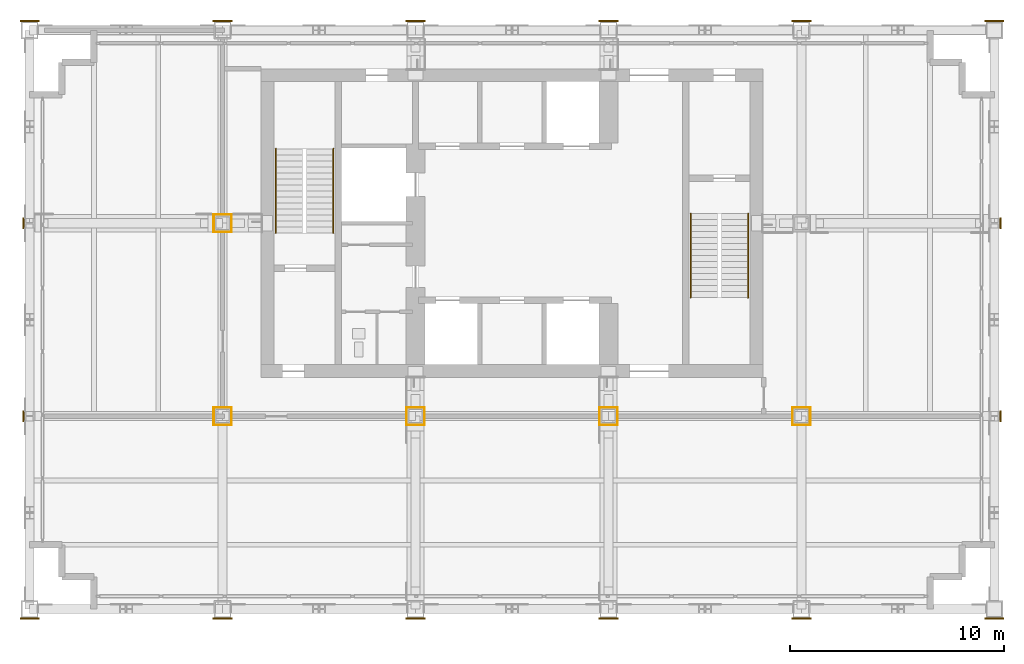
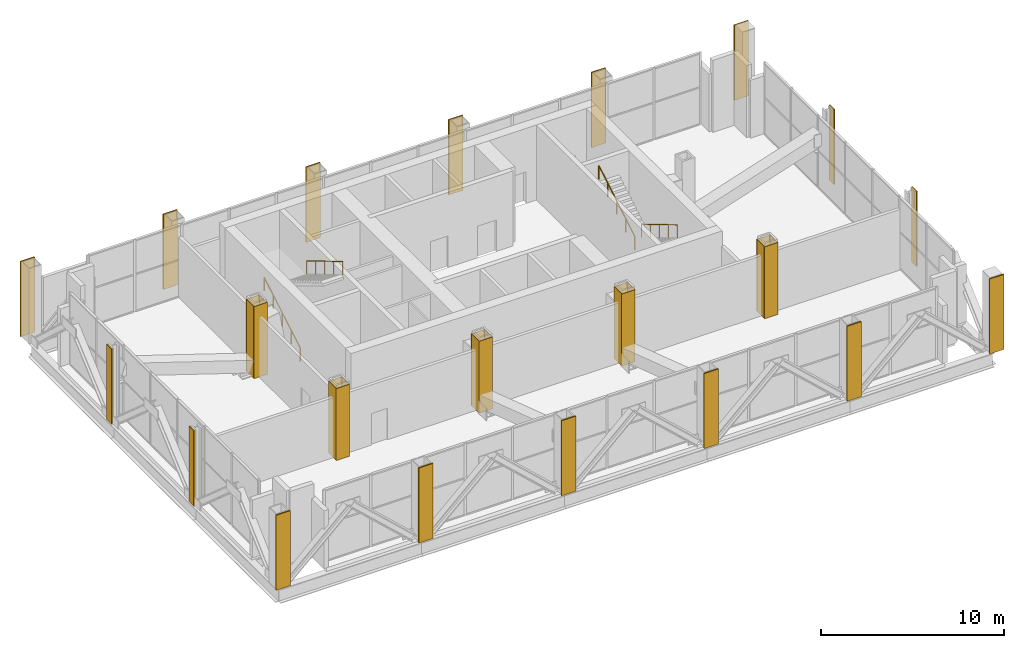
# One storey, part 12 of 13: 36 coverings, 4 railings.
"""IFC4 building model written with IfcOpenShell, lengths in metres."""

from ifc_helpers import new_model, si_unit, direction, frame, origin, origin_2d, place, context, subcontext, project, spatial, rectangle, circle, extrude, material, layer, layer_set, type_object, element, save


model = new_model("IFC4")

# Units and contexts
model_context = context("Model", 3, precision=1e-05, world=origin(), true_north=direction((0.0, 1.0)))
body_context = subcontext(model_context, "Body", "Model", "MODEL_VIEW")
ifc_project = project(units=[si_unit("LENGTHUNIT", "METRE"), si_unit("AREAUNIT", "SQUARE_METRE"), si_unit("VOLUMEUNIT", "CUBIC_METRE"), si_unit("PLANEANGLEUNIT", "RADIAN"), si_unit("MASSUNIT", "GRAM", prefix="KILO")], contexts=[model_context])

# Site, building, storey
site_placement = place(None, origin())
site = spatial("IfcSite", under=ifc_project, at=site_placement, CompositionType="ELEMENT")
building_placement = place(site_placement, origin())
building = spatial("IfcBuilding", under=site, at=building_placement, Name="Loomwork Tower", CompositionType="ELEMENT")
storey_placement = place(building_placement, frame((0.0, 0.0, 221.60009765625)))
storey = spatial("IfcBuildingStorey", under=building, at=storey_placement, Name="L61", CompositionType="ELEMENT", Elevation=221.60009765625)

# Coverings
ifc_material_1 = material(Name="Two-hour fire-rated gypsum board casing")
ifc_layer_1 = layer(ifc_material_1, 0.02490234375)
ifc_layer_set_1 = layer_set([ifc_layer_1], Name="Column fire casing 25")
covering_type_1 = type_object("IfcCoveringType", Name="Column fire casing 25", PredefinedType="CLADDING", material=ifc_layer_set_1)
for number, where, z_axis, x_axis, name in (
    (1, (9.0, 9.41259765625, 0.0), (0.0, 0.0, 1.0), (1.0, 0.0, 0.0), "Column casing 9 9 L61"),
    (2, (9.0, 8.58740234375, 0.0), (0.0, 0.0, 1.0), (1.0, 0.0, 0.0), "Column casing 9 9 L61"),
):
    element("IfcCovering", number, at=place(storey_placement, frame(where, z_axis=z_axis, x_axis=x_axis)), inside=storey, type_object=covering_type_1, Name=name, PredefinedType="CLADDING", context=body_context, shape_type="SweptSolid", body=[
        extrude(rectangle(XDim=0.85009765625, YDim=0.02490234375, at=origin_2d()), origin(), (0.0, 0.0, 1.0), 4.800048828125),
    ])
for number, where, z_axis, x_axis, name in (
    (3, (9.41259765625, 9.0, 0.0), (0.0, 0.0, 1.0), (1.0, 0.0, 0.0), "Column casing 9 9 L61"),
    (4, (8.58740234375, 9.0, 0.0), (0.0, 0.0, 1.0), (1.0, 0.0, 0.0), "Column casing 9 9 L61"),
):
    element("IfcCovering", number, at=place(storey_placement, frame(where, z_axis=z_axis, x_axis=x_axis)), inside=storey, type_object=covering_type_1, Name=name, PredefinedType="CLADDING", context=body_context, shape_type="SweptSolid", body=[
        extrude(rectangle(XDim=0.02490234375, YDim=0.800048828125, at=origin_2d()), origin(), (0.0, 0.0, 1.0), 4.800048828125),
    ])
for number, where, z_axis, x_axis, name in (
    (5, (9.0, 18.41259765625, 0.0), (0.0, 0.0, 1.0), (1.0, 0.0, 0.0), "Column casing 9 18 L61"),
    (6, (9.0, 17.58740234375, 0.0), (0.0, 0.0, 1.0), (1.0, 0.0, 0.0), "Column casing 9 18 L61"),
):
    element("IfcCovering", number, at=place(storey_placement, frame(where, z_axis=z_axis, x_axis=x_axis)), inside=storey, type_object=covering_type_1, Name=name, PredefinedType="CLADDING", context=body_context, shape_type="SweptSolid", body=[
        extrude(rectangle(XDim=0.85009765625, YDim=0.02490234375, at=origin_2d()), origin(), (0.0, 0.0, 1.0), 4.800048828125),
    ])
for number, where, z_axis, x_axis, name in (
    (7, (9.41259765625, 18.0, 0.0), (0.0, 0.0, 1.0), (1.0, 0.0, 0.0), "Column casing 9 18 L61"),
    (8, (8.58740234375, 18.0, 0.0), (0.0, 0.0, 1.0), (1.0, 0.0, 0.0), "Column casing 9 18 L61"),
):
    element("IfcCovering", number, at=place(storey_placement, frame(where, z_axis=z_axis, x_axis=x_axis)), inside=storey, type_object=covering_type_1, Name=name, PredefinedType="CLADDING", context=body_context, shape_type="SweptSolid", body=[
        extrude(rectangle(XDim=0.02490234375, YDim=0.800048828125, at=origin_2d()), origin(), (0.0, 0.0, 1.0), 4.800048828125),
    ])
for number, where, z_axis, x_axis, name in (
    (9, (18.0, 9.41259765625, 0.0), (0.0, 0.0, 1.0), (1.0, 0.0, 0.0), "Column casing 18 9 L61"),
    (10, (18.0, 8.58740234375, 0.0), (0.0, 0.0, 1.0), (1.0, 0.0, 0.0), "Column casing 18 9 L61"),
):
    element("IfcCovering", number, at=place(storey_placement, frame(where, z_axis=z_axis, x_axis=x_axis)), inside=storey, type_object=covering_type_1, Name=name, PredefinedType="CLADDING", context=body_context, shape_type="SweptSolid", body=[
        extrude(rectangle(XDim=0.85009765625, YDim=0.02490234375, at=origin_2d()), origin(), (0.0, 0.0, 1.0), 4.800048828125),
    ])
for number, where, z_axis, x_axis, name in (
    (11, (18.41259765625, 9.0, 0.0), (0.0, 0.0, 1.0), (1.0, 0.0, 0.0), "Column casing 18 9 L61"),
    (12, (17.58740234375, 9.0, 0.0), (0.0, 0.0, 1.0), (1.0, 0.0, 0.0), "Column casing 18 9 L61"),
):
    element("IfcCovering", number, at=place(storey_placement, frame(where, z_axis=z_axis, x_axis=x_axis)), inside=storey, type_object=covering_type_1, Name=name, PredefinedType="CLADDING", context=body_context, shape_type="SweptSolid", body=[
        extrude(rectangle(XDim=0.02490234375, YDim=0.800048828125, at=origin_2d()), origin(), (0.0, 0.0, 1.0), 4.800048828125),
    ])
for number, where, z_axis, x_axis, name in (
    (13, (27.0, 9.41259765625, 0.0), (0.0, 0.0, 1.0), (1.0, 0.0, 0.0), "Column casing 27 9 L61"),
    (14, (27.0, 8.58740234375, 0.0), (0.0, 0.0, 1.0), (1.0, 0.0, 0.0), "Column casing 27 9 L61"),
):
    element("IfcCovering", number, at=place(storey_placement, frame(where, z_axis=z_axis, x_axis=x_axis)), inside=storey, type_object=covering_type_1, Name=name, PredefinedType="CLADDING", context=body_context, shape_type="SweptSolid", body=[
        extrude(rectangle(XDim=0.85009765625, YDim=0.02490234375, at=origin_2d()), origin(), (0.0, 0.0, 1.0), 4.800048828125),
    ])
for number, where, z_axis, x_axis, name in (
    (15, (27.41259765625, 9.0, 0.0), (0.0, 0.0, 1.0), (1.0, 0.0, 0.0), "Column casing 27 9 L61"),
    (16, (26.58740234375, 9.0, 0.0), (0.0, 0.0, 1.0), (1.0, 0.0, 0.0), "Column casing 27 9 L61"),
):
    element("IfcCovering", number, at=place(storey_placement, frame(where, z_axis=z_axis, x_axis=x_axis)), inside=storey, type_object=covering_type_1, Name=name, PredefinedType="CLADDING", context=body_context, shape_type="SweptSolid", body=[
        extrude(rectangle(XDim=0.02490234375, YDim=0.800048828125, at=origin_2d()), origin(), (0.0, 0.0, 1.0), 4.800048828125),
    ])
for number, where, z_axis, x_axis, name in (
    (17, (36.0, 9.41259765625, 0.0), (0.0, 0.0, 1.0), (1.0, 0.0, 0.0), "Column casing 36 9 L61"),
    (18, (36.0, 8.58740234375, 0.0), (0.0, 0.0, 1.0), (1.0, 0.0, 0.0), "Column casing 36 9 L61"),
):
    element("IfcCovering", number, at=place(storey_placement, frame(where, z_axis=z_axis, x_axis=x_axis)), inside=storey, type_object=covering_type_1, Name=name, PredefinedType="CLADDING", context=body_context, shape_type="SweptSolid", body=[
        extrude(rectangle(XDim=0.85009765625, YDim=0.02490234375, at=origin_2d()), origin(), (0.0, 0.0, 1.0), 4.800048828125),
    ])
for number, where, z_axis, x_axis, name in (
    (19, (36.41259765625, 9.0, 0.0), (0.0, 0.0, 1.0), (1.0, 0.0, 0.0), "Column casing 36 9 L61"),
    (20, (35.58740234375, 9.0, 0.0), (0.0, 0.0, 1.0), (1.0, 0.0, 0.0), "Column casing 36 9 L61"),
):
    element("IfcCovering", number, at=place(storey_placement, frame(where, z_axis=z_axis, x_axis=x_axis)), inside=storey, type_object=covering_type_1, Name=name, PredefinedType="CLADDING", context=body_context, shape_type="SweptSolid", body=[
        extrude(rectangle(XDim=0.02490234375, YDim=0.800048828125, at=origin_2d()), origin(), (0.0, 0.0, 1.0), 4.800048828125),
    ])

# Railings
ifc_material_2 = material(Name="Stainless steel handrail", Category="steel")
railing_type = type_object("IfcRailingType", Name="Handrail 900", PredefinedType="HANDRAIL", material=ifc_material_2)
railing_1_placement = place(storey_placement, frame((11.485107421875, 17.550048828125, 0.16650390625)))
element("IfcRailing", 21, at=railing_1_placement, inside=storey, type_object=railing_type, Name="Stair A handrail flight 1 L61", PredefinedType="HANDRAIL", context=body_context, shape_type="SweptSolid", body=[
    extrude(circle(Radius=0.02392578125, at=origin_2d()), frame((0.0, 0.0, 0.8759765625), z_axis=(0.0, 0.859272722373, 0.511517730471), x_axis=(-1.0, 0.0, 0.0)), (0.0, 0.0, 1.0), 4.56201171875),
    extrude(circle(Radius=0.02099609375, at=origin_2d()), origin(), (0.0, 0.0, 1.0), 0.851806640625),
    extrude(circle(Radius=0.02099609375, at=origin_2d()), frame((0.0, 0.97998046875, 0.58349609375)), (0.0, 0.0, 1.0), 0.851806640625),
    extrude(circle(Radius=0.02099609375, at=origin_2d()), frame((0.0, 1.9599609375, 1.166748046875)), (0.0, 0.0, 1.0), 0.851806640625),
    extrude(circle(Radius=0.02099609375, at=origin_2d()), frame((0.0, 2.93994140625, 1.75)), (0.0, 0.0, 1.0), 0.851806640625),
    extrude(circle(Radius=0.02099609375, at=origin_2d()), frame((0.0, 3.919921875, 2.33349609375)), (0.0, 0.0, 1.0), 0.851806640625),
])
for number, where, name in (
    (22, (14.1650390625, 21.469970703125, 2.66650390625), "Stair A handrail flight 2 L61"),
    (23, (33.514892578125, 18.449951171875, 0.16650390625), "Stair B handrail flight 1 L61"),
):
    element("IfcRailing", number, at=place(storey_placement, frame(where)), inside=storey, type_object=railing_type, Name=name, PredefinedType="HANDRAIL", context=body_context, shape_type="SweptSolid", body=[
        extrude(circle(Radius=0.02392578125, at=origin_2d()), frame((0.0, 0.0, 0.8759765625), z_axis=(0.0, -0.859272722373, 0.511517730471), x_axis=(1.0, 0.0, 0.0)), (0.0, 0.0, 1.0), 4.56201171875),
        extrude(circle(Radius=0.02099609375, at=origin_2d()), origin(), (0.0, 0.0, 1.0), 0.851806640625),
        extrude(circle(Radius=0.02099609375, at=origin_2d()), frame((0.0, -0.97998046875, 0.58349609375)), (0.0, 0.0, 1.0), 0.851806640625),
        extrude(circle(Radius=0.02099609375, at=origin_2d()), frame((0.0, -1.9599609375, 1.166748046875)), (0.0, 0.0, 1.0), 0.851806640625),
        extrude(circle(Radius=0.02099609375, at=origin_2d()), frame((0.0, -2.93994140625, 1.75)), (0.0, 0.0, 1.0), 0.851806640625),
        extrude(circle(Radius=0.02099609375, at=origin_2d()), frame((0.0, -3.919921875, 2.33349609375)), (0.0, 0.0, 1.0), 0.851806640625),
    ])
railing_2_placement = place(storey_placement, frame((30.8349609375, 14.530029296875, 2.66650390625)))
element("IfcRailing", 24, at=railing_2_placement, inside=storey, type_object=railing_type, Name="Stair B handrail flight 2 L61", PredefinedType="HANDRAIL", context=body_context, shape_type="SweptSolid", body=[
    extrude(circle(Radius=0.02392578125, at=origin_2d()), frame((0.0, 0.0, 0.8759765625), z_axis=(0.0, 0.859272722373, 0.511517730471), x_axis=(-1.0, 0.0, 0.0)), (0.0, 0.0, 1.0), 4.56201171875),
    extrude(circle(Radius=0.02099609375, at=origin_2d()), origin(), (0.0, 0.0, 1.0), 0.851806640625),
    extrude(circle(Radius=0.02099609375, at=origin_2d()), frame((0.0, 0.97998046875, 0.58349609375)), (0.0, 0.0, 1.0), 0.851806640625),
    extrude(circle(Radius=0.02099609375, at=origin_2d()), frame((0.0, 1.9599609375, 1.166748046875)), (0.0, 0.0, 1.0), 0.851806640625),
    extrude(circle(Radius=0.02099609375, at=origin_2d()), frame((0.0, 2.93994140625, 1.75)), (0.0, 0.0, 1.0), 0.851806640625),
    extrude(circle(Radius=0.02099609375, at=origin_2d()), frame((0.0, 3.919921875, 2.33349609375)), (0.0, 0.0, 1.0), 0.851806640625),
])

# Coverings
ifc_material_3 = material(Name="Limestone", Category="masonry")
ifc_layer_2 = layer(ifc_material_3, 0.080078125)
ifc_layer_set_2 = layer_set([ifc_layer_2], Name="Limestone pier facing 80")
covering_type_2 = type_object("IfcCoveringType", Name="Limestone pier facing 80", PredefinedType="CLADDING", material=ifc_layer_set_2)
covering_1_placement = place(storey_placement, frame((0.0, -0.43994140625, 0.0), z_axis=(0.0, 0.0, 1.0), x_axis=(1.0, 0.0, 0.0)))
element("IfcCovering", 25, at=covering_1_placement, inside=storey, type_object=covering_type_2, Name="Pier facing D/2 L61", PredefinedType="CLADDING", context=body_context, shape_type="SweptSolid", body=[
    extrude(rectangle(XDim=0.89990234375, YDim=0.080078125, at=origin_2d()), origin(), (0.0, 0.0, 1.0), 5.0),
])
for number, where, z_axis, x_axis, name in (
    (26, (-0.28125, 9.0, 0.0), (0.0, 0.0, 1.0), (1.0, 0.0, 0.0), "Pier facing E/2 L61"),
    (27, (-0.28125, 18.0, 0.0), (0.0, 0.0, 1.0), (1.0, 0.0, 0.0), "Pier facing F/2 L61"),
):
    element("IfcCovering", number, at=place(storey_placement, frame(where, z_axis=z_axis, x_axis=x_axis)), inside=storey, type_object=covering_type_2, Name=name, PredefinedType="CLADDING", context=body_context, shape_type="SweptSolid", body=[
        extrude(rectangle(XDim=0.080078125, YDim=0.526611328125, at=origin_2d()), origin(), (0.0, 0.0, 1.0), 5.0),
    ])
for number, where, z_axis, x_axis, name in (
    (28, (0.0, 27.43994140625, 0.0), (0.0, 0.0, 1.0), (1.0, 0.0, 0.0), "Pier facing G/2 L61"),
    (29, (9.0, -0.43994140625, 0.0), (0.0, 0.0, 1.0), (1.0, 0.0, 0.0), "Pier facing D/3 L61"),
    (30, (9.0, 27.43994140625, 0.0), (0.0, 0.0, 1.0), (1.0, 0.0, 0.0), "Pier facing G/3 L61"),
    (31, (18.0, -0.43994140625, 0.0), (0.0, 0.0, 1.0), (1.0, 0.0, 0.0), "Pier facing D/4 L61"),
    (32, (18.0, 27.43994140625, 0.0), (0.0, 0.0, 1.0), (1.0, 0.0, 0.0), "Pier facing G/4 L61"),
    (33, (27.0, -0.43994140625, 0.0), (0.0, 0.0, 1.0), (1.0, 0.0, 0.0), "Pier facing D/5 L61"),
    (34, (27.0, 27.43994140625, 0.0), (0.0, 0.0, 1.0), (1.0, 0.0, 0.0), "Pier facing G/5 L61"),
    (35, (36.0, -0.43994140625, 0.0), (0.0, 0.0, 1.0), (1.0, 0.0, 0.0), "Pier facing D/6 L61"),
    (36, (36.0, 27.43994140625, 0.0), (0.0, 0.0, 1.0), (1.0, 0.0, 0.0), "Pier facing G/6 L61"),
    (37, (45.0, -0.43994140625, 0.0), (0.0, 0.0, 1.0), (1.0, 0.0, 0.0), "Pier facing D/7 L61"),
):
    element("IfcCovering", number, at=place(storey_placement, frame(where, z_axis=z_axis, x_axis=x_axis)), inside=storey, type_object=covering_type_2, Name=name, PredefinedType="CLADDING", context=body_context, shape_type="SweptSolid", body=[
        extrude(rectangle(XDim=0.89990234375, YDim=0.080078125, at=origin_2d()), origin(), (0.0, 0.0, 1.0), 5.0),
    ])
for number, where, z_axis, x_axis, name in (
    (38, (45.28125, 9.0, 0.0), (0.0, 0.0, 1.0), (1.0, 0.0, 0.0), "Pier facing E/7 L61"),
    (39, (45.28125, 18.0, 0.0), (0.0, 0.0, 1.0), (1.0, 0.0, 0.0), "Pier facing F/7 L61"),
):
    element("IfcCovering", number, at=place(storey_placement, frame(where, z_axis=z_axis, x_axis=x_axis)), inside=storey, type_object=covering_type_2, Name=name, PredefinedType="CLADDING", context=body_context, shape_type="SweptSolid", body=[
        extrude(rectangle(XDim=0.080078125, YDim=0.526611328125, at=origin_2d()), origin(), (0.0, 0.0, 1.0), 5.0),
    ])
covering_2_placement = place(storey_placement, frame((45.0, 27.43994140625, 0.0), z_axis=(0.0, 0.0, 1.0), x_axis=(1.0, 0.0, 0.0)))
element("IfcCovering", 40, at=covering_2_placement, inside=storey, type_object=covering_type_2, Name="Pier facing G/7 L61", PredefinedType="CLADDING", context=body_context, shape_type="SweptSolid", body=[
    extrude(rectangle(XDim=0.89990234375, YDim=0.080078125, at=origin_2d()), origin(), (0.0, 0.0, 1.0), 5.0),
])

save(model, "model.ifc")
